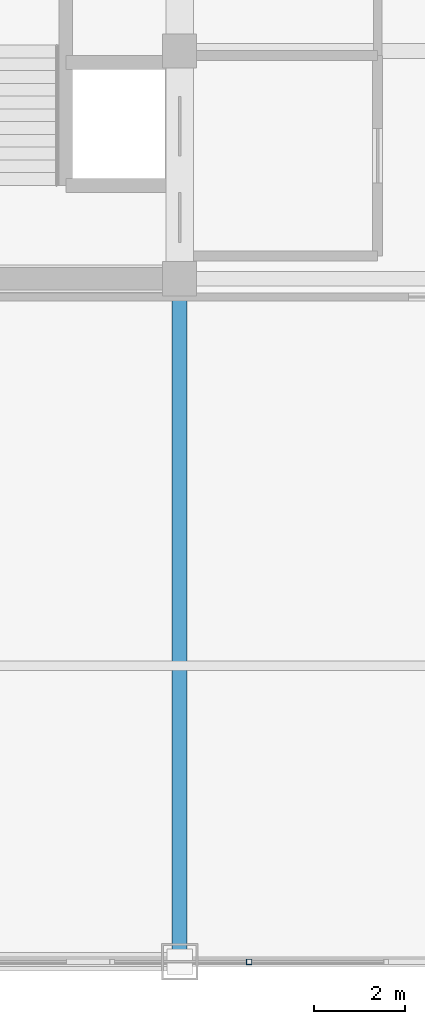
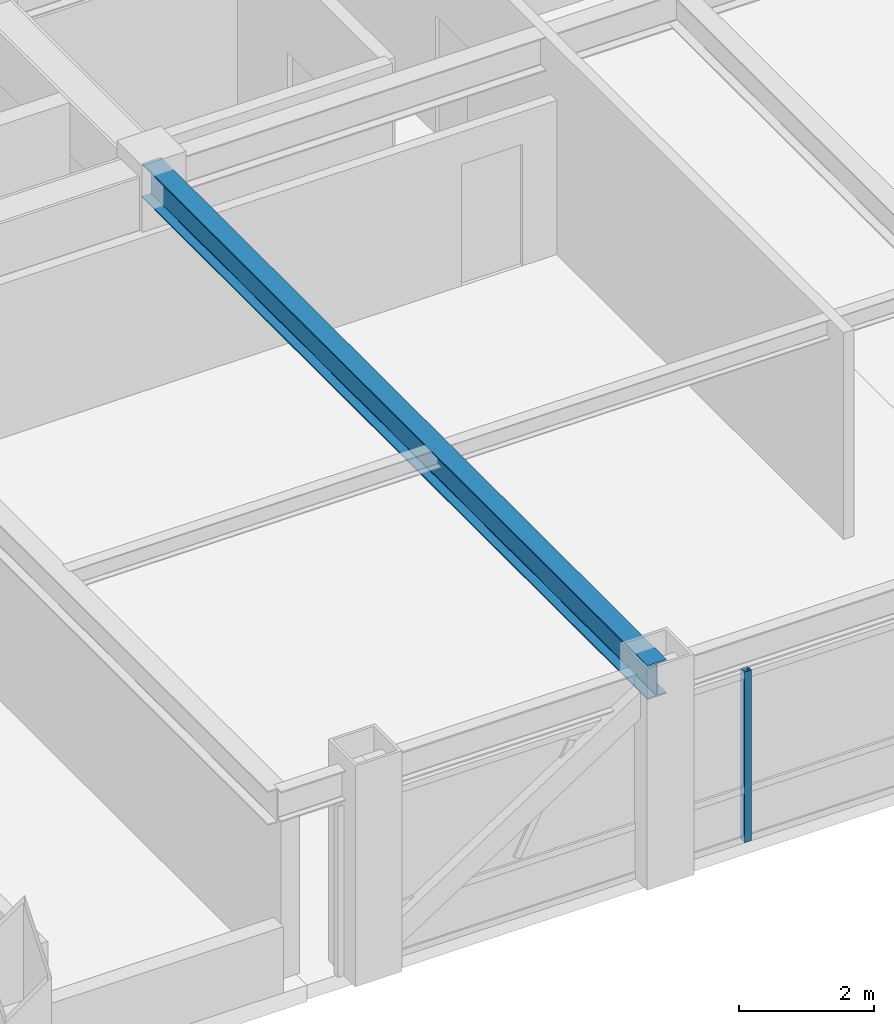
# One storey, part 9 of 29: 1 beam, 1 member, 1 element without a shape of its own.
"""IFC4 building model written with IfcOpenShell, lengths in metres."""

from ifc_helpers import new_model, si_unit, direction, frame, origin, origin_2d, place, context, subcontext, project, spatial, hollow_rectangle, i_section, extrude, source, transform, mapped, material, material_profile, profile_set, type_object, element, aggregate, save


model = new_model("IFC4")

# Units and contexts
model_context = context("Model", 3, precision=1e-05, world=origin(), true_north=direction((0.0, 1.0)))
body_context = subcontext(model_context, "Body", "Model", "MODEL_VIEW")
ifc_project = project(units=[si_unit("LENGTHUNIT", "METRE"), si_unit("AREAUNIT", "SQUARE_METRE"), si_unit("VOLUMEUNIT", "CUBIC_METRE"), si_unit("PLANEANGLEUNIT", "RADIAN"), si_unit("MASSUNIT", "GRAM", prefix="KILO")], contexts=[model_context])

# Site, building, storey
site_placement = place(None, origin())
site = spatial("IfcSite", under=ifc_project, at=site_placement, CompositionType="ELEMENT")
building_placement = place(site_placement, origin())
building = spatial("IfcBuilding", under=site, at=building_placement, Name="Khorayat Bourse Tower", CompositionType="ELEMENT")
storey_placement = place(building_placement, frame((0.0, 0.0, 346.300048828125)))
storey = spatial("IfcBuildingStorey", under=building, at=storey_placement, Name="L82", CompositionType="ELEMENT", Elevation=346.300048828125)

# Beam
ifc_material_1 = material(Name="Steel ASTM A992 Grade 50", Category="steel")
ifc_material_profile_1 = material_profile(ifc_material_1, i_section(OverallWidth=0.324951171875, OverallDepth=0.615966796875, WebThickness=0.013916015625, FlangeThickness=0.021484375, FilletRadius=0.01611328125, at=origin_2d()), Name="W610X174")
ifc_profile_set_1 = profile_set([ifc_material_profile_1], Name="Steel ASTM A992 Grade 50")
beam_type = type_object("IfcBeamType", Name="BM-GIRD-610", PredefinedType="BEAM", material=ifc_profile_set_1)
shared_shape_1 = source(origin(), body_context, "Body", "SweptSolid", [
    extrude(i_section(OverallWidth=0.324951171875, OverallDepth=0.615966796875, WebThickness=0.013916015625, FlangeThickness=0.021484375, FilletRadius=0.01611328125, at=origin_2d()), origin(), (0.0, 0.0, 1.0), 15.0),
])
beam_placement = place(storey_placement, frame((11.0, -26.0, 3.431884765625), z_axis=(0.0, 1.0, 0.0), x_axis=(-1.0, 0.0, 0.0)))
element("IfcBeam", 1, at=beam_placement, inside=storey, type_object=beam_type, Name="L82 BM-GIRD-610 BM-L82-RADY-060", PredefinedType="BEAM", context=body_context, shape_type="MappedRepresentation", body=[
    mapped(shared_shape_1, transform((0.0, 0.0, 0.0), scale=1.0)),
])

# Curtain wall, member
ifc_material_2 = material(Name="Aluminium EN AW-6063 T6", Category="aluminium")
curtain_wall_type = type_object("IfcCurtainWallType", Name="CW-SYS-06", PredefinedType="NOTDEFINED", material=ifc_material_2)
curtain_wall_placement = place(storey_placement, origin())
curtain_wall = element("IfcCurtainWall", 2, at=curtain_wall_placement, inside=storey, type_object=curtain_wall_type, Name="L82 Curtain Wall CW-L82-S2", PredefinedType="NOTDEFINED")
ifc_material_profile_2 = material_profile(ifc_material_2, hollow_rectangle(XDim=0.1201171875, YDim=0.1201171875, WallThickness=0.0048828125, at=origin_2d()), Name="ALU 120x120x5")
ifc_profile_set_2 = profile_set([ifc_material_profile_2], Name="Aluminium EN AW-6063 T6")
member_type = type_object("IfcMemberType", Name="CWM-VERT-120", PredefinedType="MULLION", material=ifc_profile_set_2)
shared_shape_2 = source(origin(), body_context, "Body", "SweptSolid", [
    extrude(hollow_rectangle(XDim=0.1201171875, YDim=0.1201171875, WallThickness=0.0048828125, at=origin_2d()), origin(), (0.0, 0.0, 1.0), 3.08984375),
])
member_placement = place(storey_placement, frame((12.52490234375, -26.0, 0.0), z_axis=(0.0, 0.0, 1.0), x_axis=(0.0, 1.0, 0.0)))
member = element("IfcMember", 3, at=member_placement, type_object=member_type, Name="CW-L82-S2 Vertical Mullion 2", PredefinedType="MULLION", context=body_context, shape_type="MappedRepresentation", body=[
    mapped(shared_shape_2, transform((0.0, 0.0, 0.0), scale=1.0)),
])
aggregate(curtain_wall, [member])

save(model, "model.ifc")
